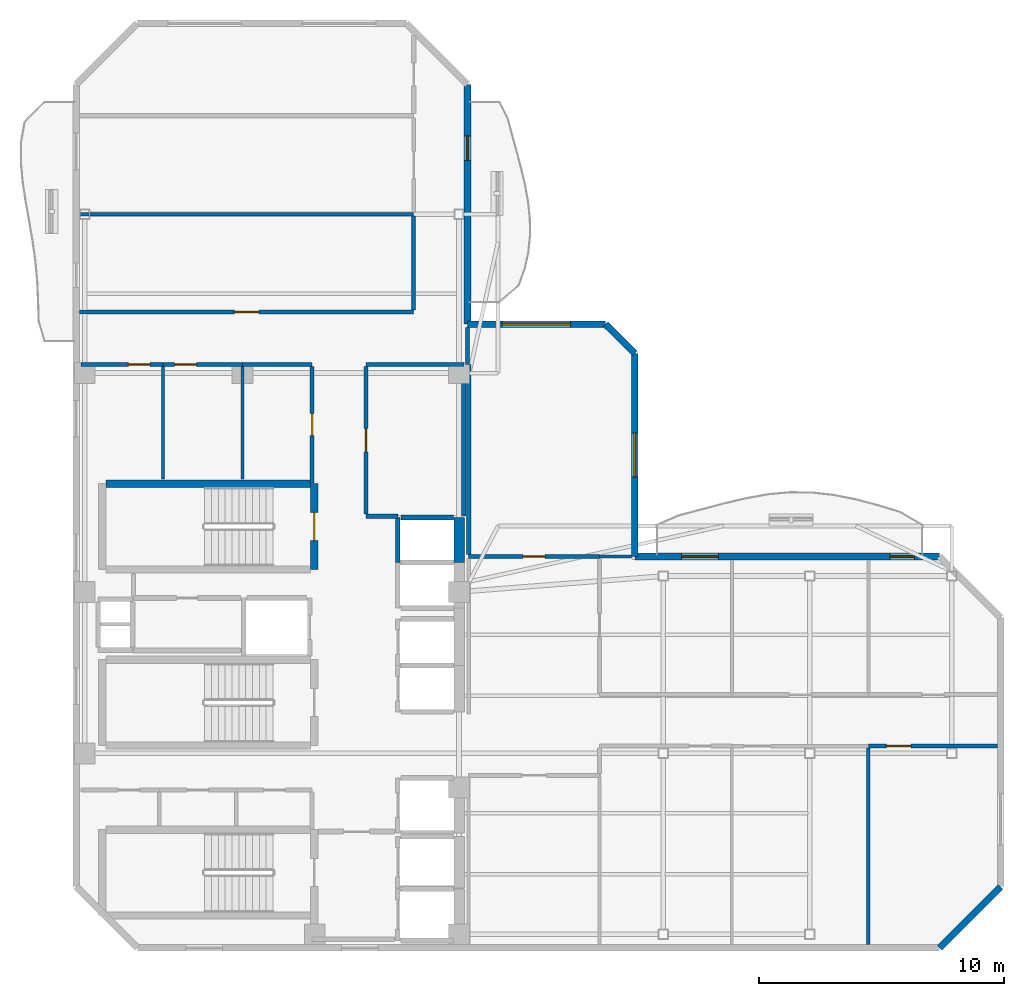
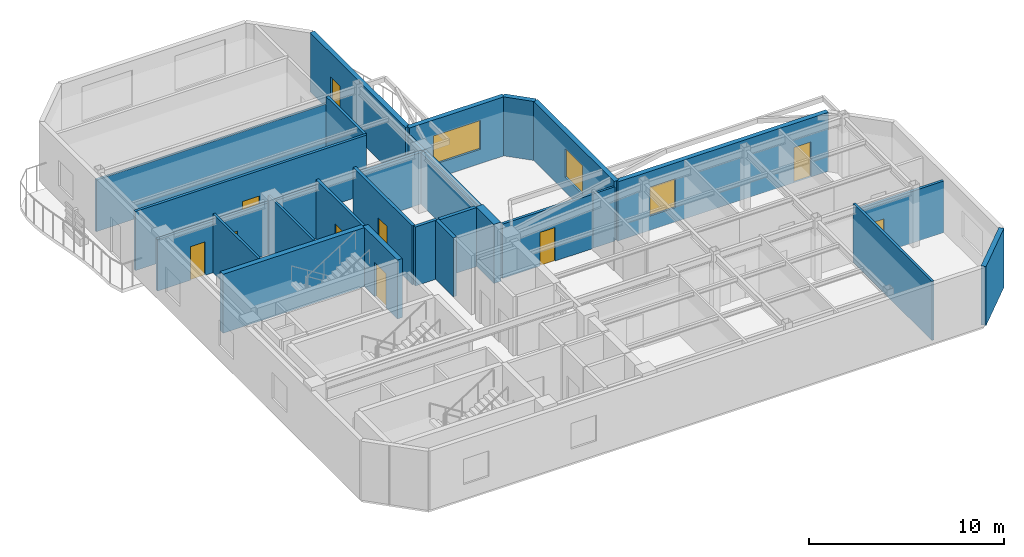
# One storey, part 4 of 7: 30 walls, 10 doors, 3 windows, 13 openings.
"""IFC4 building model written with IfcOpenShell, lengths in metres."""

from ifc_helpers import new_model, si_unit, direction, frame, frame_2d, origin, place, context, subcontext, project, spatial, rectangle, extrude, material, layer, layer_set, type_object, element, fill, save


model = new_model("IFC4")

# Units and contexts
model_context = context("Model", 3, precision=1e-05, world=origin(), true_north=direction((0.0, 1.0)))
body_context = subcontext(model_context, "Body", "Model", "MODEL_VIEW")
ifc_project = project(units=[si_unit("LENGTHUNIT", "METRE"), si_unit("AREAUNIT", "SQUARE_METRE"), si_unit("VOLUMEUNIT", "CUBIC_METRE"), si_unit("PLANEANGLEUNIT", "RADIAN"), si_unit("MASSUNIT", "GRAM", prefix="KILO")], contexts=[model_context])

# Site, building, storey
site_placement = place(None, origin())
site = spatial("IfcSite", under=ifc_project, at=site_placement, CompositionType="ELEMENT")
building_placement = place(site_placement, origin())
building = spatial("IfcBuilding", under=site, at=building_placement, Name="Mawjaban Terraces University", CompositionType="ELEMENT")
storey_placement = place(building_placement, frame((0.0, 0.0, 252.10009765625)))
storey = spatial("IfcBuildingStorey", under=building, at=storey_placement, Name="L61", CompositionType="ELEMENT", Elevation=252.10009765625)

# Walls
ifc_material_1 = material(Name="Acoustic masonry blockwork", Category="masonry")
ifc_layer_1 = layer(ifc_material_1, 0.179931640625)
ifc_layer_set_1 = layer_set([ifc_layer_1], Name="Acoustic masonry blockwork")
wall_type_1 = type_object("IfcWallType", Name="AcousticStudioWall_180", PredefinedType="PARTITIONING", material=ifc_layer_set_1)
wall_1_placement = place(storey_placement, frame((33.85009765625, 17.64990234375, 0.0), z_axis=(0.0, 0.0, 1.0), x_axis=(1.0, 0.0, 0.0)))
element("IfcWall", 1, at=wall_1_placement, inside=storey, type_object=wall_type_1, Name="L61 Graduate Research Collaboration Studio Partition 10", PredefinedType="PARTITIONING", context=body_context, shape_type="SweptSolid", body=[
    extrude(rectangle(XDim=1.2998046875, YDim=0.179931640625, at=frame_2d((0.64990234375, 0.0))), origin(), (0.0, 0.0, 1.0), 3.68994140625),
])
wall_2_placement = place(storey_placement, frame((37.85009765625, 23.85009765625, 0.0), z_axis=(0.0, 0.0, 1.0), x_axis=(-1.0, 0.0, 0.0)))
element("IfcWall", 2, at=wall_2_placement, inside=storey, type_object=wall_type_1, Name="L61 Graduate Research Collaboration Studio Partition 15", PredefinedType="PARTITIONING", context=body_context, shape_type="SweptSolid", body=[
    extrude(rectangle(XDim=4.0, YDim=0.179931640625, at=frame_2d((2.0, 0.0))), origin(), (0.0, 0.0, 1.0), 3.226806640625),
])

# Wall, opening, door
wall_3_placement = place(storey_placement, frame((33.85009765625, 17.735107421875, 0.0), z_axis=(0.0, 0.0, 1.0), x_axis=(0.0, 1.0, 0.0)))
wall_3 = element("IfcWall", 3, at=wall_3_placement, inside=storey, type_object=wall_type_1, Name="L61 Core North Lift Lobby Partition 32", PredefinedType="PARTITIONING", context=body_context, shape_type="SweptSolid", body=[
    extrude(rectangle(XDim=6.02978515625, YDim=0.179931640625, at=frame_2d((3.014892578125, 0.0))), origin(), (0.0, 0.0, 1.0), 3.68994140625),
])
opening_1_placement = place(wall_3_placement, frame((2.5400390625, 0.0, 0.0)))
opening_1 = element("IfcOpeningElement", 4, at=opening_1_placement, cuts=wall_3, Name="Opening ID-095", PredefinedType="OPENING", context=body_context, shape_type="SweptSolid", body=[
    extrude(rectangle(XDim=0.949951171875, YDim=2.10009765625, at=frame_2d((0.47509765625, 1.050048828125))), frame((0.0, 0.099853515625, 0.0), z_axis=(0.0, -1.0, 0.0), x_axis=(1.0, 0.0, 0.0)), (0.0, 0.0, 1.0), 0.199951171875),
])
ifc_material_2 = material(Name="Powder-coated steel frame and solid acoustic timber leaf", Category="steel")
door_type_1 = type_object("IfcDoorType", Name="StudioDoor_950x2100", OperationType="NOTDEFINED", PredefinedType="DOOR", material=ifc_material_2)
door_1_placement = place(opening_1_placement, origin())
door_1 = element("IfcDoor", 5, at=door_1_placement, inside=storey, type_object=door_type_1, Name="L61 Graduate Research Collaboration Studio Door", OperationType="SINGLE_SWING_LEFT", OverallHeight=2.10009765625, OverallWidth=0.949951171875, PredefinedType="DOOR", context=body_context, shape_type="SweptSolid", body=[
    extrude(rectangle(XDim=0.949951171875, YDim=2.10009765625, at=frame_2d((0.47509765625, 1.050048828125))), frame((0.0, 0.02490234375, 0.0), z_axis=(0.0, -1.0, 0.0), x_axis=(1.0, 0.0, 0.0)), (0.0, 0.0, 1.0), 0.050048828125),
])
fill(opening_1, door_1)

# Walls
wall_4_placement = place(storey_placement, frame((37.85009765625, 17.64990234375, 0.0), z_axis=(0.0, 0.0, 1.0), x_axis=(0.0, 1.0, 0.0)))
element("IfcWall", 6, at=wall_4_placement, inside=storey, type_object=wall_type_1, Name="L61 Graduate Research Collaboration Studio Partition 36", PredefinedType="PARTITIONING", context=body_context, shape_type="SweptSolid", body=[
    extrude(rectangle(XDim=6.114990234375, YDim=0.179931640625, at=frame_2d((3.0576171875, 0.0))), origin(), (0.0, 0.0, 1.0), 3.226806640625),
])
wall_5_placement = place(storey_placement, frame((38.050048828125, 23.85009765625, 0.0), z_axis=(0.0, 0.0, 1.0), x_axis=(0.0, -1.0, 0.0)))
element("IfcWall", 7, at=wall_5_placement, inside=storey, type_object=wall_type_1, Name="L61 Terrace Collaborative Study Room Partition 40", PredefinedType="PARTITIONING", context=body_context, shape_type="SweptSolid", body=[
    extrude(rectangle(XDim=7.775146484375, YDim=0.179931640625, at=frame_2d((3.8876953125, 0.0))), origin(), (0.0, 0.0, 1.0), 3.226806640625),
])
ifc_material_3 = material(Name="Concrete C50/60", Category="concrete")
ifc_layer_2 = layer(ifc_material_3, 0.419921875)
ifc_layer_set_2 = layer_set([ifc_layer_2], Name="Concrete C50/60")
wall_type_2 = type_object("IfcWallType", Name="CoreShearWall_420", PredefinedType="SHEAR", material=ifc_layer_set_2)
wall_6_placement = place(storey_placement, frame((37.659912109375, 15.75, 0.0), z_axis=(0.0, 0.0, 1.0), x_axis=(0.0, 1.0, 0.0)))
element("IfcWall", 8, at=wall_6_placement, inside=storey, type_object=wall_type_2, Name="L61 Lift OL-2 Hoistway Wall East", PredefinedType="SHEAR", context=body_context, shape_type="SweptSolid", body=[
    extrude(rectangle(XDim=1.85009765625, YDim=0.419921875, at=frame_2d((0.925048828125, 0.0))), origin(), (0.0, 0.0, 1.0), 3.68994140625),
])

# Wall, opening, door
ifc_material_4 = material(Name="Fire-rated gypsum board on steel stud", Category="steel")
ifc_layer_3 = layer(ifc_material_4, 0.159912109375)
ifc_layer_set_3 = layer_set([ifc_layer_3], Name="Fire-rated gypsum board on steel stud")
wall_type_3 = type_object("IfcWallType", Name="CorridorPartition_160", PredefinedType="PARTITIONING", material=ifc_layer_set_3)
wall_7_placement = place(storey_placement, frame((25.550048828125, 23.85009765625, 0.0), z_axis=(0.0, 0.0, 1.0), x_axis=(-1.0, 0.0, 0.0)))
wall_7 = element("IfcWall", 9, at=wall_7_placement, inside=storey, type_object=wall_type_3, Name="L61 Ablution Room Partition 5", PredefinedType="PARTITIONING", context=body_context, shape_type="SweptSolid", body=[
    extrude(rectangle(XDim=3.35009765625, YDim=0.159912109375, at=frame_2d((1.675048828125, 0.0))), origin(), (0.0, 0.0, 1.0), 3.226806640625),
])
opening_2_placement = place(wall_7_placement, frame((0.534912109375, 0.0, 0.0)))
opening_2 = element("IfcOpeningElement", 10, at=opening_2_placement, cuts=wall_7, Name="Opening ID-088", PredefinedType="OPENING", context=body_context, shape_type="SweptSolid", body=[
    extrude(rectangle(XDim=0.8798828125, YDim=2.10009765625, at=frame_2d((0.43994140625, 1.050048828125))), frame((0.0, 0.08984375, 0.0), z_axis=(0.0, -1.0, 0.0), x_axis=(1.0, 0.0, 0.0)), (0.0, 0.0, 1.0), 0.179931640625),
])
door_type_2 = type_object("IfcDoorType", Name="ToiletDoor_880x2100", OperationType="NOTDEFINED", PredefinedType="DOOR", material=ifc_material_2)
door_2_placement = place(opening_2_placement, origin())
door_2 = element("IfcDoor", 11, at=door_2_placement, inside=storey, type_object=door_type_2, Name="L61 Ablution Room Door", OperationType="SINGLE_SWING_LEFT", OverallHeight=2.10009765625, OverallWidth=0.8798828125, PredefinedType="DOOR", context=body_context, shape_type="SweptSolid", body=[
    extrude(rectangle(XDim=0.8798828125, YDim=2.10009765625, at=frame_2d((0.43994140625, 1.050048828125))), frame((0.0, 0.02490234375, 0.0), z_axis=(0.0, -1.0, 0.0), x_axis=(1.0, 0.0, 0.0)), (0.0, 0.0, 1.0), 0.050048828125),
])
fill(opening_2, door_2)

wall_8_placement = place(storey_placement, frame((28.800048828125, 23.85009765625, 0.0), z_axis=(0.0, 0.0, 1.0), x_axis=(-1.0, 0.0, 0.0)))
wall_8 = element("IfcWall", 12, at=wall_8_placement, inside=storey, type_object=wall_type_3, Name="L61 Cleaner Store Partition 7", PredefinedType="PARTITIONING", context=body_context, shape_type="SweptSolid", body=[
    extrude(rectangle(XDim=3.25, YDim=0.159912109375, at=frame_2d((1.625, 0.0))), origin(), (0.0, 0.0, 1.0), 3.226806640625),
])
opening_3_placement = place(wall_8_placement, frame((1.875, 0.0, 0.0)))
opening_3 = element("IfcOpeningElement", 13, at=opening_3_placement, cuts=wall_8, Name="Opening ID-090", PredefinedType="OPENING", context=body_context, shape_type="SweptSolid", body=[
    extrude(rectangle(XDim=0.89990234375, YDim=2.10009765625, at=frame_2d((0.449951171875, 1.050048828125))), frame((0.0, 0.08984375, 0.0), z_axis=(0.0, -1.0, 0.0), x_axis=(1.0, 0.0, 0.0)), (0.0, 0.0, 1.0), 0.179931640625),
])
door_type_3 = type_object("IfcDoorType", Name="OfficeDoor_900x2100", OperationType="NOTDEFINED", PredefinedType="DOOR", material=ifc_material_2)
door_3_placement = place(opening_3_placement, origin())
door_3 = element("IfcDoor", 14, at=door_3_placement, inside=storey, type_object=door_type_3, Name="L61 Cleaner Store Door", OperationType="SINGLE_SWING_RIGHT", OverallHeight=2.10009765625, OverallWidth=0.89990234375, PredefinedType="DOOR", context=body_context, shape_type="SweptSolid", body=[
    extrude(rectangle(XDim=0.89990234375, YDim=2.10009765625, at=frame_2d((0.449951171875, 1.050048828125))), frame((0.0, 0.02490234375, 0.0), z_axis=(0.0, -1.0, 0.0), x_axis=(1.0, 0.0, 0.0)), (0.0, 0.0, 1.0), 0.050048828125),
])
fill(opening_3, door_3)

# Wall
wall_9_placement = place(storey_placement, frame((31.64990234375, 23.85009765625, 0.0), z_axis=(0.0, 0.0, 1.0), x_axis=(-1.0, 0.0, 0.0)))
element("IfcWall", 15, at=wall_9_placement, inside=storey, type_object=wall_type_3, Name="L61 Faculty Academic Resource Office Partition 9", PredefinedType="PARTITIONING", context=body_context, shape_type="SweptSolid", body=[
    extrude(rectangle(XDim=2.849853515625, YDim=0.159912109375, at=frame_2d((1.4248046875, 0.0))), origin(), (0.0, 0.0, 1.0), 3.226806640625),
])

# Wall, opening, door
wall_10_placement = place(storey_placement, frame((35.800048828125, 26.0, 0.0), z_axis=(0.0, 0.0, 1.0), x_axis=(-1.0, 0.0, 0.0)))
wall_10 = element("IfcWall", 16, at=wall_10_placement, inside=storey, type_object=wall_type_3, Name="L61 North Core Cross-Corridor Partition 12", PredefinedType="PARTITIONING", context=body_context, shape_type="SweptSolid", body=[
    extrude(rectangle(XDim=13.6669921875, YDim=0.159912109375, at=frame_2d((6.83349609375, 0.0))), origin(), (0.0, 0.0, 1.0), 3.68994140625),
])
opening_4_placement = place(wall_10_placement, frame((6.3330078125, 0.0, 0.0)))
opening_4 = element("IfcOpeningElement", 17, at=opening_4_placement, cuts=wall_10, Name="Opening ID-100", PredefinedType="OPENING", context=body_context, shape_type="SweptSolid", body=[
    extrude(rectangle(XDim=1.0, YDim=2.10009765625, at=frame_2d((0.5, 1.050048828125))), frame((0.0, 0.08984375, 0.0), z_axis=(0.0, -1.0, 0.0), x_axis=(1.0, 0.0, 0.0)), (0.0, 0.0, 1.0), 0.179931640625),
])
door_type_4 = type_object("IfcDoorType", Name="ClassroomDoor_1000x2100", OperationType="NOTDEFINED", PredefinedType="DOOR", material=ifc_material_2)
door_4_placement = place(opening_4_placement, origin())
door_4 = element("IfcDoor", 18, at=door_4_placement, inside=storey, type_object=door_type_4, Name="L61 Classroom 8 Door", OperationType="SINGLE_SWING_RIGHT", OverallHeight=2.10009765625, OverallWidth=1.0, PredefinedType="DOOR", context=body_context, shape_type="SweptSolid", body=[
    extrude(rectangle(XDim=1.0, YDim=2.10009765625, at=frame_2d((0.5, 1.050048828125))), frame((0.0, 0.02490234375, 0.0), z_axis=(0.0, -1.0, 0.0), x_axis=(1.0, 0.0, 0.0)), (0.0, 0.0, 1.0), 0.050048828125),
])
fill(opening_4, door_4)

wall_11_placement = place(storey_placement, frame((43.39990234375, 16.0, 0.0), z_axis=(0.0, 0.0, 1.0), x_axis=(-1.0, 0.0, 0.0)))
wall_11 = element("IfcWall", 19, at=wall_11_placement, inside=storey, type_object=wall_type_3, Name="L61 Upper Research Hub Concourse Partition 18", PredefinedType="PARTITIONING", context=body_context, shape_type="SweptSolid", body=[
    extrude(rectangle(XDim=5.349853515625, YDim=0.159912109375, at=frame_2d((2.6748046875, 0.0))), origin(), (0.0, 0.0, 1.0), 3.389892578125),
])
opening_5_placement = place(wall_11_placement, frame((2.22509765625, 0.0, 0.0)))
opening_5 = element("IfcOpeningElement", 20, at=opening_5_placement, cuts=wall_11, Name="Opening ID-090", PredefinedType="OPENING", context=body_context, shape_type="SweptSolid", body=[
    extrude(rectangle(XDim=0.89990234375, YDim=2.10009765625, at=frame_2d((0.449951171875, 1.050048828125))), frame((0.0, 0.08984375, 0.0), z_axis=(0.0, -1.0, 0.0), x_axis=(1.0, 0.0, 0.0)), (0.0, 0.0, 1.0), 0.179931640625),
])
door_5_placement = place(opening_5_placement, origin())
door_5 = element("IfcDoor", 21, at=door_5_placement, inside=storey, type_object=door_type_3, Name="L61 Terrace Collaborative Study Room Door", OperationType="SINGLE_SWING_LEFT", OverallHeight=2.10009765625, OverallWidth=0.89990234375, PredefinedType="DOOR", context=body_context, shape_type="SweptSolid", body=[
    extrude(rectangle(XDim=0.89990234375, YDim=2.10009765625, at=frame_2d((0.449951171875, 1.050048828125))), frame((0.0, 0.02490234375, 0.0), z_axis=(0.0, -1.0, 0.0), x_axis=(1.0, 0.0, 0.0)), (0.0, 0.0, 1.0), 0.050048828125),
])
fill(opening_5, door_5)

wall_12_placement = place(storey_placement, frame((54.389892578125, 8.25, 0.0), z_axis=(0.0, 0.0, 1.0), x_axis=(1.0, 0.0, 0.0)))
wall_12 = element("IfcWall", 22, at=wall_12_placement, inside=storey, type_object=wall_type_3, Name="L61 Upper East Research Corridor Partition 22", PredefinedType="PARTITIONING", context=body_context, shape_type="SweptSolid", body=[
    extrude(rectangle(XDim=5.277099609375, YDim=0.159912109375, at=frame_2d((2.638671875, 0.0))), origin(), (0.0, 0.0, 1.0), 3.226806640625),
])
opening_6_placement = place(wall_12_placement, frame((0.739013671875, 0.0, 0.0)))
opening_6 = element("IfcOpeningElement", 23, at=opening_6_placement, cuts=wall_12, Name="Opening ID-100", PredefinedType="OPENING", context=body_context, shape_type="SweptSolid", body=[
    extrude(rectangle(XDim=1.0, YDim=2.10009765625, at=frame_2d((0.5, 1.050048828125))), frame((0.0, 0.08984375, 0.0), z_axis=(0.0, -1.0, 0.0), x_axis=(1.0, 0.0, 0.0)), (0.0, 0.0, 1.0), 0.179931640625),
])
door_6_placement = place(opening_6_placement, origin())
door_6 = element("IfcDoor", 24, at=door_6_placement, inside=storey, type_object=door_type_4, Name="L61 Classroom 6 Door", OperationType="SINGLE_SWING_RIGHT", OverallHeight=2.10009765625, OverallWidth=1.0, PredefinedType="DOOR", context=body_context, shape_type="SweptSolid", body=[
    extrude(rectangle(XDim=1.0, YDim=2.10009765625, at=frame_2d((0.5, 1.050048828125))), frame((0.0, 0.02490234375, 0.0), z_axis=(0.0, -1.0, 0.0), x_axis=(1.0, 0.0, 0.0)), (0.0, 0.0, 1.0), 0.050048828125),
])
fill(opening_6, door_6)

wall_13_placement = place(storey_placement, frame((31.64990234375, 19.010009765625, 0.0), z_axis=(0.0, 0.0, 1.0), x_axis=(0.0, 1.0, 0.0)))
wall_13 = element("IfcWall", 25, at=wall_13_placement, inside=storey, type_object=wall_type_3, Name="L61 Faculty Academic Resource Office Partition 31", PredefinedType="PARTITIONING", context=body_context, shape_type="SweptSolid", body=[
    extrude(rectangle(XDim=4.764892578125, YDim=0.159912109375, at=frame_2d((2.38232421875, 0.0))), origin(), (0.0, 0.0, 1.0), 3.68994140625),
])
opening_7_placement = place(wall_13_placement, frame((1.931884765625, 0.0, 0.0)))
opening_7 = element("IfcOpeningElement", 26, at=opening_7_placement, cuts=wall_13, Name="Opening ID-090", PredefinedType="OPENING", context=body_context, shape_type="SweptSolid", body=[
    extrude(rectangle(XDim=0.89990234375, YDim=2.10009765625, at=frame_2d((0.449951171875, 1.050048828125))), frame((0.0, 0.08984375, 0.0), z_axis=(0.0, -1.0, 0.0), x_axis=(1.0, 0.0, 0.0)), (0.0, 0.0, 1.0), 0.179931640625),
])
door_7_placement = place(opening_7_placement, origin())
door_7 = element("IfcDoor", 27, at=door_7_placement, inside=storey, type_object=door_type_3, Name="L61 Faculty Academic Resource Office Door", OperationType="SINGLE_SWING_RIGHT", OverallHeight=2.10009765625, OverallWidth=0.89990234375, PredefinedType="DOOR", context=body_context, shape_type="SweptSolid", body=[
    extrude(rectangle(XDim=0.89990234375, YDim=2.10009765625, at=frame_2d((0.449951171875, 1.050048828125))), frame((0.0, 0.02490234375, 0.0), z_axis=(0.0, -1.0, 0.0), x_axis=(1.0, 0.0, 0.0)), (0.0, 0.0, 1.0), 0.050048828125),
])
fill(opening_7, door_7)

# Walls
wall_14_placement = place(storey_placement, frame((35.800048828125, 29.93310546875, 0.0), z_axis=(0.0, 0.0, 1.0), x_axis=(0.0, -1.0, 0.0)))
element("IfcWall", 28, at=wall_14_placement, inside=storey, type_object=wall_type_3, Name="L61 Upper North Research Gallery Partition 33", PredefinedType="PARTITIONING", context=body_context, shape_type="SweptSolid", body=[
    extrude(rectangle(XDim=3.858154296875, YDim=0.159912109375, at=frame_2d((1.92919921875, 0.0))), origin(), (0.0, 0.0, 1.0), 3.68994140625),
])
wall_15_placement = place(storey_placement, frame((38.0, 23.85009765625, 0.0), z_axis=(0.0, 0.0, 1.0), x_axis=(0.0, 1.0, 0.0)))
element("IfcWall", 29, at=wall_15_placement, inside=storey, type_object=wall_type_3, Name="L61 North Core Cross-Corridor Partition 37", PredefinedType="PARTITIONING", context=body_context, shape_type="SweptSolid", body=[
    extrude(rectangle(XDim=1.516845703125, YDim=0.159912109375, at=frame_2d((0.75830078125, 0.0))), origin(), (0.0, 0.0, 1.0), 3.226806640625),
])
ifc_material_5 = material(Name="Insulated terracotta rainscreen on concrete backup C40/50", Category="masonry")
ifc_layer_4 = layer(ifc_material_5, 0.27490234375)
ifc_layer_set_4 = layer_set([ifc_layer_4], Name="Insulated terracotta rainscreen on concrete backup C40/50")
wall_type_4 = type_object("IfcWallType", Name="ExtTerracottaWall_275", PredefinedType="SOLIDWALL", material=ifc_layer_set_4)
wall_16_placement = place(storey_placement, frame((57.300048828125, 0.0, 0.0), z_axis=(0.0, 0.0, 1.0), x_axis=(0.707106781187, 0.707106781187, 0.0)))
element("IfcWall", 30, at=wall_16_placement, inside=storey, type_object=wall_type_4, Name="L61 Exterior Terracotta Wall 2", PredefinedType="SOLIDWALL", context=body_context, shape_type="SweptSolid", body=[
    extrude(rectangle(XDim=3.53564453125, YDim=0.27490234375, at=frame_2d((1.767822265625, 0.0))), origin(), (0.0, 0.0, 1.0), 3.68994140625),
])

# Wall, openings, door, window
wall_17_placement = place(storey_placement, frame((57.300048828125, 16.0, 0.0), z_axis=(0.0, 0.0, 1.0), x_axis=(-1.0, 0.0, 0.0)))
wall_17 = element("IfcWall", 31, at=wall_17_placement, inside=storey, type_object=wall_type_4, Name="L61 Exterior Terracotta Wall 5", PredefinedType="SOLIDWALL", context=body_context, shape_type="SweptSolid", body=[
    extrude(rectangle(XDim=12.4599609375, YDim=0.27490234375, at=frame_2d((6.22998046875, 0.0))), origin(), (0.0, 0.0, 1.0), 3.68994140625),
])
opening_8_placement = place(wall_17_placement, frame((1.030029296875, 0.0, 0.0)))
opening_8 = element("IfcOpeningElement", 32, at=opening_8_placement, cuts=wall_17, Name="Opening BD-100", PredefinedType="OPENING", context=body_context, shape_type="SweptSolid", body=[
    extrude(rectangle(XDim=1.0, YDim=2.199951171875, at=frame_2d((0.5, 1.10009765625))), frame((0.0, 0.1474609375, 0.0), z_axis=(0.0, -1.0, 0.0), x_axis=(1.0, 0.0, 0.0)), (0.0, 0.0, 1.0), 0.294921875),
])
opening_9_placement = place(wall_17_placement, frame((9.044921875, 0.0, 0.89990234375)))
opening_9 = element("IfcOpeningElement", 33, at=opening_9_placement, cuts=wall_17, Name="Opening W-06", PredefinedType="OPENING", context=body_context, shape_type="SweptSolid", body=[
    extrude(rectangle(XDim=1.5, YDim=1.800048828125, at=frame_2d((0.75, 0.89990234375))), frame((0.0, 0.1474609375, 0.0), z_axis=(0.0, -1.0, 0.0), x_axis=(1.0, 0.0, 0.0)), (0.0, 0.0, 1.0), 0.294921875),
])
ifc_material_6 = material(Name="Thermally broken anodised aluminium and laminated safety glass", Category="aluminium")
door_type_5 = type_object("IfcDoorType", Name="BalconyGlazedDoor_1000x2200", OperationType="NOTDEFINED", PredefinedType="DOOR", material=ifc_material_6)
door_8_placement = place(opening_8_placement, origin())
door_8 = element("IfcDoor", 34, at=door_8_placement, inside=storey, type_object=door_type_5, Name="L61 Balcony Access Door inner_north", OperationType="SINGLE_SWING_RIGHT", OverallHeight=2.199951171875, OverallWidth=1.0, PredefinedType="DOOR", context=body_context, shape_type="SweptSolid", body=[
    extrude(rectangle(XDim=1.0, YDim=2.199951171875, at=frame_2d((0.5, 1.10009765625))), frame((0.0, 0.02490234375, 0.0), z_axis=(0.0, -1.0, 0.0), x_axis=(1.0, 0.0, 0.0)), (0.0, 0.0, 1.0), 0.050048828125),
])
fill(opening_8, door_8)
ifc_material_7 = material(Name="Low-E solar-control double glazing in thermally broken aluminium frame", Category="aluminium")
window_type_1 = type_object("IfcWindowType", Name="Win_1500x1800", PartitioningType="SINGLE_PANEL", PredefinedType="WINDOW", material=ifc_material_7)
window_1_placement = place(opening_9_placement, origin())
window_1 = element("IfcWindow", 35, at=window_1_placement, inside=storey, type_object=window_type_1, Name="L61 Facade Window 5.2", OverallHeight=1.800048828125, OverallWidth=1.5, PartitioningType="SINGLE_PANEL", PredefinedType="WINDOW", context=body_context, shape_type="SweptSolid", body=[
    extrude(rectangle(XDim=1.5, YDim=1.800048828125, at=frame_2d((0.75, 0.89990234375))), frame((0.0, 0.030029296875, 0.0), z_axis=(0.0, -1.0, 0.0), x_axis=(1.0, 0.0, 0.0)), (0.0, 0.0, 1.0), 0.06005859375),
])
fill(opening_9, window_1)

# Wall, opening, window
wall_18_placement = place(storey_placement, frame((44.840087890625, 16.0, 0.0), z_axis=(0.0, 0.0, 1.0), x_axis=(0.0, 1.0, 0.0)))
wall_18 = element("IfcWall", 36, at=wall_18_placement, inside=storey, type_object=wall_type_4, Name="L61 Exterior Terracotta Wall 6", PredefinedType="SOLIDWALL", context=body_context, shape_type="SweptSolid", body=[
    extrude(rectangle(XDim=8.300048828125, YDim=0.27490234375, at=frame_2d((4.14990234375, 0.0))), origin(), (0.0, 0.0, 1.0), 3.68994140625),
])
opening_10_placement = place(wall_18_placement, frame((3.25, 0.0, 0.89990234375)))
opening_10 = element("IfcOpeningElement", 37, at=opening_10_placement, cuts=wall_18, Name="Opening W-07", PredefinedType="OPENING", context=body_context, shape_type="SweptSolid", body=[
    extrude(rectangle(XDim=1.800048828125, YDim=1.800048828125, at=frame_2d((0.89990234375, 0.89990234375))), frame((0.0, 0.1474609375, 0.0), z_axis=(0.0, -1.0, 0.0), x_axis=(1.0, 0.0, 0.0)), (0.0, 0.0, 1.0), 0.294921875),
])
window_type_2 = type_object("IfcWindowType", Name="Win_1800x1800", PartitioningType="SINGLE_PANEL", PredefinedType="WINDOW", material=ifc_material_7)
window_2_placement = place(opening_10_placement, origin())
window_2 = element("IfcWindow", 38, at=window_2_placement, inside=storey, type_object=window_type_2, Name="L61 Facade Window 6.1", OverallHeight=1.800048828125, OverallWidth=1.800048828125, PartitioningType="SINGLE_PANEL", PredefinedType="WINDOW", context=body_context, shape_type="SweptSolid", body=[
    extrude(rectangle(XDim=1.800048828125, YDim=1.800048828125, at=frame_2d((0.89990234375, 0.89990234375))), frame((0.0, 0.030029296875, 0.0), z_axis=(0.0, -1.0, 0.0), x_axis=(1.0, 0.0, 0.0)), (0.0, 0.0, 1.0), 0.06005859375),
])
fill(opening_10, window_2)

# Wall
wall_19_placement = place(storey_placement, frame((44.840087890625, 24.300048828125, 0.0), z_axis=(0.0, 0.0, 1.0), x_axis=(-0.707178703759, 0.707034851297, 0.0)))
element("IfcWall", 39, at=wall_19_placement, inside=storey, type_object=wall_type_4, Name="L61 Exterior Terracotta Wall 7", PredefinedType="SOLIDWALL", context=body_context, shape_type="SweptSolid", body=[
    extrude(rectangle(XDim=1.697265625, YDim=0.27490234375, at=frame_2d((0.8486328125, 0.0))), origin(), (0.0, 0.0, 1.0), 3.68994140625),
])

# Wall, opening, window
wall_20_placement = place(storey_placement, frame((43.639892578125, 25.5, 0.0), z_axis=(0.0, 0.0, 1.0), x_axis=(-1.0, 0.0, 0.0)))
wall_20 = element("IfcWall", 40, at=wall_20_placement, inside=storey, type_object=wall_type_4, Name="L61 Exterior Terracotta Wall 8", PredefinedType="SOLIDWALL", context=body_context, shape_type="SweptSolid", body=[
    extrude(rectangle(XDim=5.639892578125, YDim=0.27490234375, at=frame_2d((2.81982421875, 0.0))), origin(), (0.0, 0.0, 1.0), 3.68994140625),
])
opening_11_placement = place(wall_20_placement, frame((1.419921875, 0.0, 0.89990234375)))
opening_11 = element("IfcOpeningElement", 41, at=opening_11_placement, cuts=wall_20, Name="Opening W-09", PredefinedType="OPENING", context=body_context, shape_type="SweptSolid", body=[
    extrude(rectangle(XDim=2.800048828125, YDim=1.800048828125, at=frame_2d((1.39990234375, 0.89990234375))), frame((0.0, 0.1474609375, 0.0), z_axis=(0.0, -1.0, 0.0), x_axis=(1.0, 0.0, 0.0)), (0.0, 0.0, 1.0), 0.294921875),
])
window_type_3 = type_object("IfcWindowType", Name="Win_2800x1800", PartitioningType="SINGLE_PANEL", PredefinedType="WINDOW", material=ifc_material_7)
window_3_placement = place(opening_11_placement, origin())
window_3 = element("IfcWindow", 42, at=window_3_placement, inside=storey, type_object=window_type_3, Name="L61 Facade Window 8.1", OverallHeight=1.800048828125, OverallWidth=2.800048828125, PartitioningType="SINGLE_PANEL", PredefinedType="WINDOW", context=body_context, shape_type="SweptSolid", body=[
    extrude(rectangle(XDim=2.800048828125, YDim=1.800048828125, at=frame_2d((1.39990234375, 0.89990234375))), frame((0.0, 0.030029296875, 0.0), z_axis=(0.0, -1.0, 0.0), x_axis=(1.0, 0.0, 0.0)), (0.0, 0.0, 1.0), 0.06005859375),
])
fill(opening_11, window_3)

# Wall, opening, door
wall_21_placement = place(storey_placement, frame((38.0, 25.5, 0.0), z_axis=(0.0, 0.0, 1.0), x_axis=(0.0, 1.0, 0.0)))
wall_21 = element("IfcWall", 43, at=wall_21_placement, inside=storey, type_object=wall_type_4, Name="L61 Exterior Terracotta Wall 9", PredefinedType="SOLIDWALL", context=body_context, shape_type="SweptSolid", body=[
    extrude(rectangle(XDim=9.800048828125, YDim=0.27490234375, at=frame_2d((4.89990234375, 0.0))), origin(), (0.0, 0.0, 1.0), 3.68994140625),
])
opening_12_placement = place(wall_21_placement, frame((6.699951171875, 0.0, 0.0)))
opening_12 = element("IfcOpeningElement", 44, at=opening_12_placement, cuts=wall_21, Name="Opening BD-100", PredefinedType="OPENING", context=body_context, shape_type="SweptSolid", body=[
    extrude(rectangle(XDim=1.0, YDim=2.199951171875, at=frame_2d((0.5, 1.10009765625))), frame((0.0, 0.1474609375, 0.0), z_axis=(0.0, -1.0, 0.0), x_axis=(1.0, 0.0, 0.0)), (0.0, 0.0, 1.0), 0.294921875),
])
door_9_placement = place(opening_12_placement, origin())
door_9 = element("IfcDoor", 45, at=door_9_placement, inside=storey, type_object=door_type_5, Name="L61 Balcony Access Door inner_east", OperationType="SINGLE_SWING_RIGHT", OverallHeight=2.199951171875, OverallWidth=1.0, PredefinedType="DOOR", context=body_context, shape_type="SweptSolid", body=[
    extrude(rectangle(XDim=1.0, YDim=2.199951171875, at=frame_2d((0.5, 1.10009765625))), frame((0.0, 0.02490234375, 0.0), z_axis=(0.0, -1.0, 0.0), x_axis=(1.0, 0.0, 0.0)), (0.0, 0.0, 1.0), 0.050048828125),
])
fill(opening_12, door_9)

# Walls
ifc_material_8 = material(Name="Concrete C40/50", Category="concrete")
ifc_layer_5 = layer(ifc_material_8, 0.199951171875)
ifc_layer_set_5 = layer_set([ifc_layer_5], Name="Concrete C40/50")
wall_type_5 = type_object("IfcWallType", Name="FireLobbyWall_200", PredefinedType="SOLIDWALL", material=ifc_layer_set_5)
wall_22_placement = place(storey_placement, frame((35.14990234375, 17.60009765625, 0.0), z_axis=(0.0, 0.0, 1.0), x_axis=(0.0, -1.0, 0.0)))
element("IfcWall", 46, at=wall_22_placement, inside=storey, type_object=wall_type_5, Name="L61 Lift OL-2 Hoistway Wall West", PredefinedType="SOLIDWALL", context=body_context, shape_type="SweptSolid", body=[
    extrude(rectangle(XDim=1.85009765625, YDim=0.199951171875, at=frame_2d((0.925048828125, 0.0))), origin(), (0.0, 0.0, 1.0), 3.68994140625),
])
wall_23_placement = place(storey_placement, frame((37.419921875, 17.60009765625, 0.0), z_axis=(0.0, 0.0, 1.0), x_axis=(-1.0, 0.0, 0.0)))
element("IfcWall", 47, at=wall_23_placement, inside=storey, type_object=wall_type_5, Name="L61 Lift OL-2 Hoistway Wall North", PredefinedType="SOLIDWALL", context=body_context, shape_type="SweptSolid", body=[
    extrude(rectangle(XDim=2.139892578125, YDim=0.199951171875, at=frame_2d((1.06982421875, 0.0))), origin(), (0.0, 0.0, 1.0), 3.68994140625),
])
ifc_material_9 = material(Name="Moisture-resistant gypsum board on steel stud", Category="steel")
ifc_layer_6 = layer(ifc_material_9, 0.14501953125)
ifc_layer_set_6 = layer_set([ifc_layer_6], Name="Moisture-resistant gypsum board on steel stud")
wall_type_6 = type_object("IfcWallType", Name="LabPartition_145", PredefinedType="PARTITIONING", material=ifc_layer_set_6)
wall_24_placement = place(storey_placement, frame((35.800048828125, 30.0, 0.0), z_axis=(0.0, 0.0, 1.0), x_axis=(-1.0, 0.0, 0.0)))
element("IfcWall", 48, at=wall_24_placement, inside=storey, type_object=wall_type_6, Name="L61 Classroom 8 Partition 13", PredefinedType="PARTITIONING", context=body_context, shape_type="SweptSolid", body=[
    extrude(rectangle(XDim=13.6669921875, YDim=0.14501953125, at=frame_2d((6.83349609375, 0.0))), origin(), (0.0, 0.0, 1.0), 3.226806640625),
])
wall_25_placement = place(storey_placement, frame((54.389892578125, 0.133056640625, 0.0), z_axis=(0.0, 0.0, 1.0), x_axis=(0.0, 1.0, 0.0)))
element("IfcWall", 49, at=wall_25_placement, inside=storey, type_object=wall_type_6, Name="L61 Teaching Laboratory 4 Partition 46", PredefinedType="PARTITIONING", context=body_context, shape_type="SweptSolid", body=[
    extrude(rectangle(XDim=8.0419921875, YDim=0.14501953125, at=frame_2d((4.02099609375, 0.0))), origin(), (0.0, 0.0, 1.0), 3.68994140625),
])
ifc_material_10 = material(Name="Gypsum plasterboard on steel stud", Category="steel")
ifc_layer_7 = layer(ifc_material_10, 0.125)
ifc_layer_set_7 = layer_set([ifc_layer_7], Name="Gypsum plasterboard on steel stud")
wall_type_7 = type_object("IfcWallType", Name="OfficePartition_125", PredefinedType="PARTITIONING", material=ifc_layer_set_7)
wall_26_placement = place(storey_placement, frame((43.39990234375, 16.0, 0.0), z_axis=(0.0, 0.0, 1.0), x_axis=(1.0, 0.0, 0.0)))
element("IfcWall", 50, at=wall_26_placement, inside=storey, type_object=wall_type_7, Name="L61 Terrace Collaborative Study Room Partition 19", PredefinedType="PARTITIONING", context=body_context, shape_type="SweptSolid", body=[
    extrude(rectangle(XDim=1.30810546875, YDim=0.125, at=frame_2d((0.654052734375, 0.0))), origin(), (0.0, 0.0, 1.0), 3.389892578125),
])
wall_27_placement = place(storey_placement, frame((28.800048828125, 23.77490234375, 0.0), z_axis=(0.0, 0.0, 1.0), x_axis=(0.0, -1.0, 0.0)))
element("IfcWall", 51, at=wall_27_placement, inside=storey, type_object=wall_type_7, Name="L61 Faculty Academic Resource Office Partition 29", PredefinedType="PARTITIONING", context=body_context, shape_type="SweptSolid", body=[
    extrude(rectangle(XDim=4.614990234375, YDim=0.125, at=frame_2d((2.3076171875, 0.0))), origin(), (0.0, 0.0, 1.0), 3.68994140625),
])
ifc_material_11 = material(Name="Concrete C60/75", Category="concrete")
ifc_layer_8 = layer(ifc_material_11, 0.300048828125)
ifc_layer_set_8 = layer_set([ifc_layer_8], Name="Concrete C60/75")
wall_type_8 = type_object("IfcWallType", Name="StairShaftWall_300", PredefinedType="SHEAR", material=ifc_layer_set_8)
wall_28_placement = place(storey_placement, frame((31.580078125, 18.97998046875, 0.0), z_axis=(0.0, 0.0, 1.0), x_axis=(-1.0, 0.0, 0.0)))
element("IfcWall", 52, at=wall_28_placement, inside=storey, type_object=wall_type_8, Name="L61 ST-2 Stair Shaft Wall 1", PredefinedType="SHEAR", context=body_context, shape_type="SweptSolid", body=[
    extrude(rectangle(XDim=8.360107421875, YDim=0.300048828125, at=frame_2d((4.18017578125, 0.0))), origin(), (0.0, 0.0, 1.0), 3.68994140625),
])

# Wall, opening, door
wall_29_placement = place(storey_placement, frame((31.72998046875, 15.469970703125, 0.0), z_axis=(0.0, 0.0, 1.0), x_axis=(0.0, 1.0, 0.0)))
wall_29 = element("IfcWall", 53, at=wall_29_placement, inside=storey, type_object=wall_type_8, Name="L61 ST-2 Stair Shaft Wall 4", PredefinedType="SHEAR", context=body_context, shape_type="SweptSolid", body=[
    extrude(rectangle(XDim=3.510009765625, YDim=0.300048828125, at=frame_2d((1.7548828125, 0.0))), origin(), (0.0, 0.0, 1.0), 3.68994140625),
])
opening_13_placement = place(wall_29_placement, frame((1.179931640625, 0.0, 0.0)))
opening_13 = element("IfcOpeningElement", 54, at=opening_13_placement, cuts=wall_29, Name="Opening FD-115", PredefinedType="OPENING", context=body_context, shape_type="SweptSolid", body=[
    extrude(rectangle(XDim=1.14990234375, YDim=2.14990234375, at=frame_2d((0.574951171875, 1.074951171875))), frame((0.0, 0.159912109375, 0.0), z_axis=(0.0, -1.0, 0.0), x_axis=(1.0, 0.0, 0.0)), (0.0, 0.0, 1.0), 0.320068359375),
])
ifc_material_12 = material(Name="Powder-coated steel frame and fire-rated steel-faced leaf", Category="steel")
door_type_6 = type_object("IfcDoorType", Name="FireStairDoor_1150x2150", OperationType="NOTDEFINED", PredefinedType="DOOR", material=ifc_material_12)
door_10_placement = place(opening_13_placement, origin())
door_10 = element("IfcDoor", 55, at=door_10_placement, inside=storey, type_object=door_type_6, Name="L61 ST-2 Pressurised Stair Fire Door", OperationType="SINGLE_SWING_RIGHT", OverallHeight=2.14990234375, OverallWidth=1.14990234375, PredefinedType="DOOR", context=body_context, shape_type="SweptSolid", body=[
    extrude(rectangle(XDim=1.14990234375, YDim=2.14990234375, at=frame_2d((0.574951171875, 1.074951171875))), frame((0.0, 0.02490234375, 0.0), z_axis=(0.0, -1.0, 0.0), x_axis=(1.0, 0.0, 0.0)), (0.0, 0.0, 1.0), 0.050048828125),
])
fill(opening_13, door_10)

# Wall
ifc_material_13 = material(Name="Cement-board wet-room partition", Category="masonry")
ifc_layer_9 = layer(ifc_material_13, 0.135009765625)
ifc_layer_set_9 = layer_set([ifc_layer_9], Name="Cement-board wet-room partition")
wall_type_9 = type_object("IfcWallType", Name="WetRoomPartition_135", PredefinedType="PARTITIONING", material=ifc_layer_set_9)
wall_30_placement = place(storey_placement, frame((25.550048828125, 19.159912109375, 0.0), z_axis=(0.0, 0.0, 1.0), x_axis=(0.0, 1.0, 0.0)))
element("IfcWall", 56, at=wall_30_placement, inside=storey, type_object=wall_type_9, Name="L61 Ablution Room Partition 27", PredefinedType="PARTITIONING", context=body_context, shape_type="SweptSolid", body=[
    extrude(rectangle(XDim=4.614990234375, YDim=0.135009765625, at=frame_2d((2.3076171875, 0.0))), origin(), (0.0, 0.0, 1.0), 3.68994140625),
])

save(model, "model.ifc")
